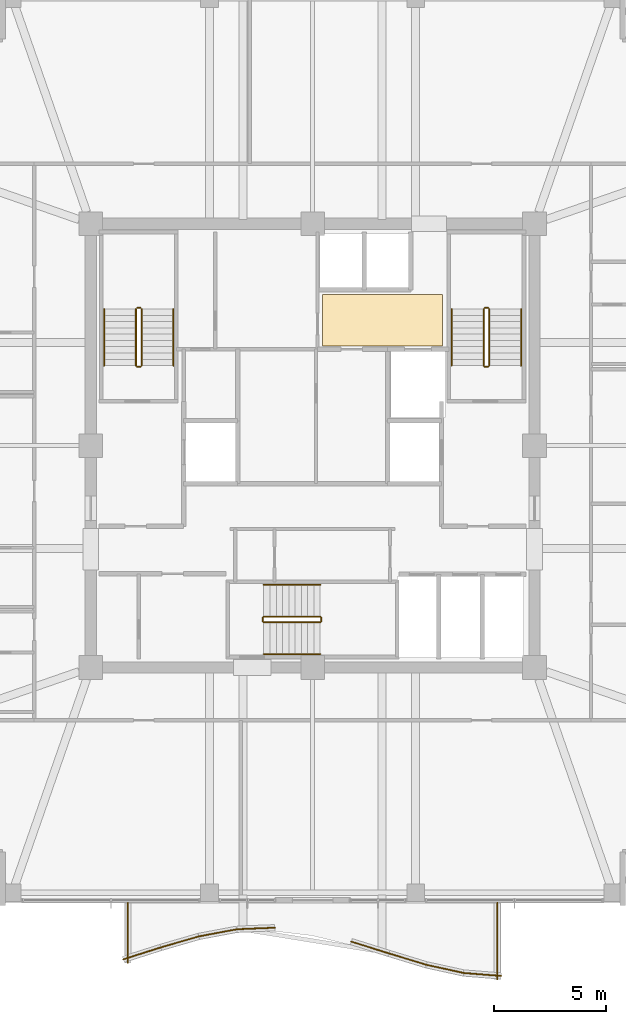
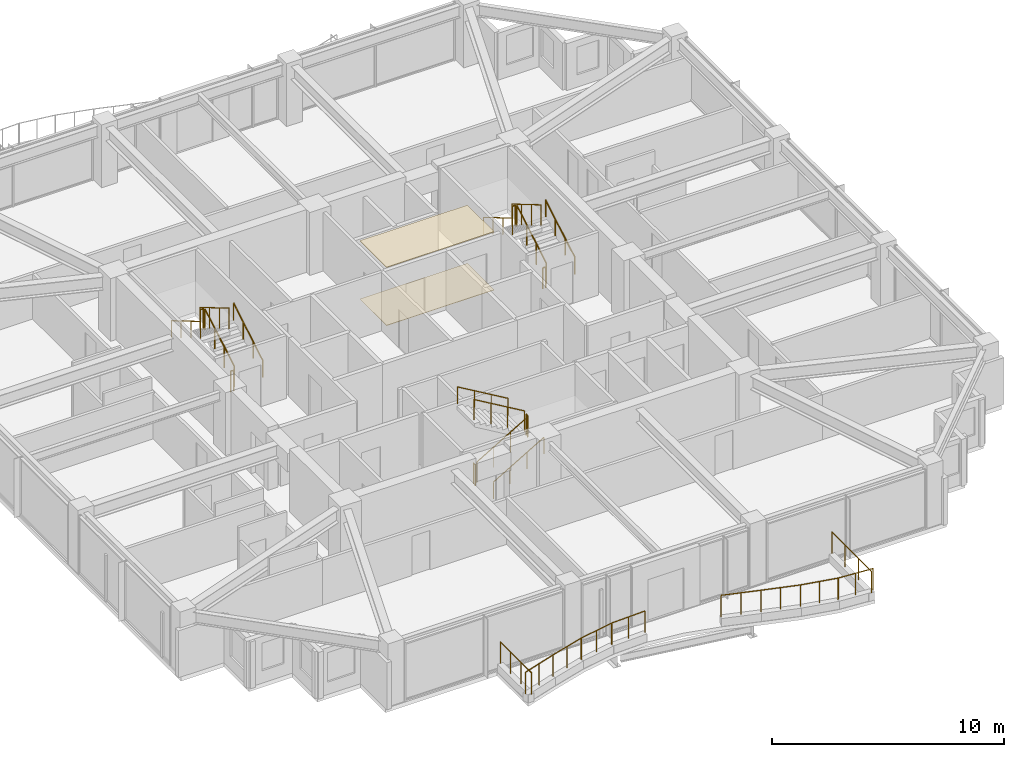
# One storey, part 35 of 36: 28 railings, 2 coverings.
"""IFC4 building model written with IfcOpenShell, lengths in metres."""

from ifc_helpers import new_model, si_unit, direction, frame, origin, origin_2d, place, context, subcontext, project, spatial, polyline, circle, outline, extrude, material, layer, layer_set, type_object, element, save


model = new_model("IFC4")

# Units and contexts
model_context = context("Model", 3, precision=1e-05, world=origin(), true_north=direction((0.0, 1.0)))
body_context = subcontext(model_context, "Body", "Model", "MODEL_VIEW")
ifc_project = project(units=[si_unit("LENGTHUNIT", "METRE"), si_unit("AREAUNIT", "SQUARE_METRE"), si_unit("VOLUMEUNIT", "CUBIC_METRE"), si_unit("PLANEANGLEUNIT", "RADIAN"), si_unit("MASSUNIT", "GRAM", prefix="KILO")], contexts=[model_context])

# Site, building, storey
site_placement = place(None, origin())
site = spatial("IfcSite", under=ifc_project, at=site_placement, CompositionType="ELEMENT")
building_placement = place(site_placement, origin())
building = spatial("IfcBuilding", under=site, at=building_placement, Name="Kolvaren Belvedere", CompositionType="ELEMENT")
storey_placement = place(building_placement, frame((0.0, 0.0, 199.800048828125)))
storey = spatial("IfcBuildingStorey", under=building, at=storey_placement, Name="L58", CompositionType="ELEMENT", Elevation=199.800048828125)

# Coverings
ifc_material_1 = material(Name="Acoustic perforated gypsum board", Category="gypsum")
ifc_layer_1 = layer(ifc_material_1, 0.02490234375)
ifc_layer_set_1 = layer_set([ifc_layer_1], Name="Acoustic perforated gypsum board")
covering_type_1 = type_object("IfcCoveringType", Name="COV-CEIL-GYP", PredefinedType="CEILING", material=ifc_layer_set_1)
covering_1_placement = place(storey_placement, frame((0.0, 0.0, 3.054931640625)))
element("IfcCovering", 1, at=covering_1_placement, inside=storey, type_object=covering_type_1, Name="L58 Lift Lobby Acoustic Baffle Ceiling", PredefinedType="CEILING", context=body_context, shape_type="SweptSolid", body=[
    extrude(outline(polyline([(0.449951171875, 4.449951171875), (5.800048828125, 4.449951171875), (5.800048828125, 6.75), (0.449951171875, 6.75), (0.449951171875, 4.449951171875)])), origin(), (0.0, 0.0, 1.0), 0.02490234375),
])
ifc_material_2 = material(Name="Engineered Pacific white oak", Category="timber")
ifc_layer_2 = layer(ifc_material_2, 0.02001953125)
ifc_layer_set_2 = layer_set([ifc_layer_2], Name="Engineered Pacific white oak")
covering_type_2 = type_object("IfcCoveringType", Name="COV-FLR-OAK", PredefinedType="FLOORING", material=ifc_layer_set_2)
covering_2_placement = place(storey_placement, origin())
element("IfcCovering", 2, at=covering_2_placement, inside=storey, type_object=covering_type_2, Name="L58 Lift Lobby Finish Flooring", PredefinedType="FLOORING", context=body_context, shape_type="SweptSolid", body=[
    extrude(outline(polyline([(0.449951171875, 4.449951171875), (5.800048828125, 4.449951171875), (5.800048828125, 6.75), (0.449951171875, 6.75), (0.449951171875, 4.449951171875)])), origin(), (0.0, 0.0, 1.0), 0.02001953125),
])

# Railings
ifc_material_3 = material(Name="Anodised pale-metal aluminium & laminated glass guard", Category="aluminium")
railing_type_1 = type_object("IfcRailingType", Name="RL-GUARD-1150", PredefinedType="GUARDRAIL", material=ifc_material_3)
railing_1_placement = place(storey_placement, frame((-8.448486328125, -22.92138671875, 0.3798828125)))
element("IfcRailing", 3, at=railing_1_placement, inside=storey, type_object=railing_type_1, Name="L58 Exterior Deck Safety Guard BAL-S-1", PredefinedType="GUARDRAIL", context=body_context, shape_type="SweptSolid", body=[
    extrude(circle(Radius=0.02392578125, at=origin_2d()), frame((0.0, 0.0, 1.1259765625), z_axis=(0.952661770826, 0.304032153573, 0.0), x_axis=(-0.304032153573, 0.952661770826, 0.0)), (0.0, 0.0, 1.0), 1.763427734375),
    extrude(circle(Radius=0.02099609375, at=origin_2d()), origin(), (0.0, 0.0, 1.0), 1.101806640625),
    extrude(circle(Radius=0.02099609375, at=origin_2d()), frame((0.83984375, 0.26806640625, 0.0)), (0.0, 0.0, 1.0), 1.101806640625),
    extrude(circle(Radius=0.02099609375, at=origin_2d()), frame((1.679931640625, 0.5361328125, 0.0)), (0.0, 0.0, 1.0), 1.101806640625),
])
railing_2_placement = place(storey_placement, frame((-6.764404296875, -22.3837890625, 0.3798828125)))
element("IfcRailing", 4, at=railing_2_placement, inside=storey, type_object=railing_type_1, Name="L58 Exterior Deck Safety Guard BAL-S-2", PredefinedType="GUARDRAIL", context=body_context, shape_type="SweptSolid", body=[
    extrude(circle(Radius=0.02392578125, at=origin_2d()), frame((0.0, 0.0, 1.1259765625), z_axis=(0.960633903819, 0.277817391164, 0.0), x_axis=(-0.277817391164, 0.960633903819, 0.0)), (0.0, 0.0, 1.0), 1.748779296875),
    extrude(circle(Radius=0.02099609375, at=origin_2d()), origin(), (0.0, 0.0, 1.0), 1.101806640625),
    extrude(circle(Radius=0.02099609375, at=origin_2d()), frame((0.83984375, 0.242919921875, 0.0)), (0.0, 0.0, 1.0), 1.101806640625),
    extrude(circle(Radius=0.02099609375, at=origin_2d()), frame((1.679931640625, 0.48583984375, 0.0)), (0.0, 0.0, 1.0), 1.101806640625),
])
railing_3_placement = place(storey_placement, frame((-5.069580078125, -21.894287109375, 0.3798828125)))
element("IfcRailing", 5, at=railing_3_placement, inside=storey, type_object=railing_type_1, Name="L58 Exterior Deck Safety Guard BAL-S-3", PredefinedType="GUARDRAIL", context=body_context, shape_type="SweptSolid", body=[
    extrude(circle(Radius=0.02392578125, at=origin_2d()), frame((0.0, 0.0, 1.1259765625), z_axis=(0.982799348901, 0.18467658162, 0.0), x_axis=(-0.18467658162, 0.982799348901, 0.0)), (0.0, 0.0, 1.0), 1.709228515625),
    extrude(circle(Radius=0.02099609375, at=origin_2d()), origin(), (0.0, 0.0, 1.0), 1.101806640625),
    extrude(circle(Radius=0.02099609375, at=origin_2d()), frame((0.83984375, 0.15771484375, 0.0)), (0.0, 0.0, 1.0), 1.101806640625),
    extrude(circle(Radius=0.02099609375, at=origin_2d()), frame((1.679931640625, 0.315673828125, 0.0)), (0.0, 0.0, 1.0), 1.101806640625),
])
railing_4_placement = place(storey_placement, frame((-3.366455078125, -21.575927734375, 0.3798828125)))
element("IfcRailing", 6, at=railing_4_placement, inside=storey, type_object=railing_type_1, Name="L58 Exterior Deck Safety Guard BAL-S-4", PredefinedType="GUARDRAIL", context=body_context, shape_type="SweptSolid", body=[
    extrude(circle(Radius=0.02392578125, at=origin_2d()), frame((0.0, 0.0, 1.1259765625), z_axis=(0.999196778482, 0.040072407855, 0.0), x_axis=(-0.040072407855, 0.999196778482, 0.0)), (0.0, 0.0, 1.0), 1.681640625),
    extrude(circle(Radius=0.02099609375, at=origin_2d()), origin(), (0.0, 0.0, 1.0), 1.101806640625),
    extrude(circle(Radius=0.02099609375, at=origin_2d()), frame((0.840087890625, 0.03369140625, 0.0)), (0.0, 0.0, 1.0), 1.101806640625),
    extrude(circle(Radius=0.02099609375, at=origin_2d()), frame((1.68017578125, 0.0673828125, 0.0)), (0.0, 0.0, 1.0), 1.101806640625),
])
railing_5_placement = place(storey_placement, frame((1.727783203125, -22.127685546875, 0.3798828125)))
element("IfcRailing", 7, at=railing_5_placement, inside=storey, type_object=railing_type_1, Name="L58 Exterior Deck Safety Guard BAL-S-7", PredefinedType="GUARDRAIL", context=body_context, shape_type="SweptSolid", body=[
    extrude(circle(Radius=0.02392578125, at=origin_2d()), frame((0.0, 0.0, 1.1259765625), z_axis=(0.954069594374, -0.299585061529, 0.0), x_axis=(0.299585061529, 0.954069594374, 0.0)), (0.0, 0.0, 1.0), 1.760986328125),
    extrude(circle(Radius=0.02099609375, at=origin_2d()), origin(), (0.0, 0.0, 1.0), 1.101806640625),
    extrude(circle(Radius=0.02099609375, at=origin_2d()), frame((0.840087890625, -0.263671875, 0.0)), (0.0, 0.0, 1.0), 1.101806640625),
    extrude(circle(Radius=0.02099609375, at=origin_2d()), frame((1.68017578125, -0.527587890625, 0.0)), (0.0, 0.0, 1.0), 1.101806640625),
])
railing_6_placement = place(storey_placement, frame((3.406494140625, -22.65478515625, 0.3798828125)))
element("IfcRailing", 8, at=railing_6_placement, inside=storey, type_object=railing_type_1, Name="L58 Exterior Deck Safety Guard BAL-S-8", PredefinedType="GUARDRAIL", context=body_context, shape_type="SweptSolid", body=[
    extrude(circle(Radius=0.02392578125, at=origin_2d()), frame((0.0, 0.0, 1.1259765625), z_axis=(0.956771481005, -0.290840734999, 0.0), x_axis=(0.290840734999, 0.956771481005, 0.0)), (0.0, 0.0, 1.0), 1.756103515625),
    extrude(circle(Radius=0.02099609375, at=origin_2d()), origin(), (0.0, 0.0, 1.0), 1.101806640625),
    extrude(circle(Radius=0.02099609375, at=origin_2d()), frame((0.840087890625, -0.25537109375, 0.0)), (0.0, 0.0, 1.0), 1.101806640625),
    extrude(circle(Radius=0.02099609375, at=origin_2d()), frame((1.68017578125, -0.5107421875, 0.0)), (0.0, 0.0, 1.0), 1.101806640625),
])
railing_7_placement = place(storey_placement, frame((5.07421875, -23.162353515625, 0.3798828125)))
element("IfcRailing", 9, at=railing_7_placement, inside=storey, type_object=railing_type_1, Name="L58 Exterior Deck Safety Guard BAL-S-9", PredefinedType="GUARDRAIL", context=body_context, shape_type="SweptSolid", body=[
    extrude(circle(Radius=0.02392578125, at=origin_2d()), frame((0.0, 0.0, 1.1259765625), z_axis=(0.976876857632, -0.213802724545, 0.0), x_axis=(0.213802724545, 0.976876857632, 0.0)), (0.0, 0.0, 1.0), 1.7197265625),
    extrude(circle(Radius=0.02099609375, at=origin_2d()), origin(), (0.0, 0.0, 1.0), 1.101806640625),
    extrude(circle(Radius=0.02099609375, at=origin_2d()), frame((0.83984375, -0.183837890625, 0.0)), (0.0, 0.0, 1.0), 1.101806640625),
    extrude(circle(Radius=0.02099609375, at=origin_2d()), frame((1.679931640625, -0.36767578125, 0.0)), (0.0, 0.0, 1.0), 1.101806640625),
])
railing_8_placement = place(storey_placement, frame((6.732666015625, -23.52685546875, 0.3798828125)))
element("IfcRailing", 10, at=railing_8_placement, inside=storey, type_object=railing_type_1, Name="L58 Exterior Deck Safety Guard BAL-S-10", PredefinedType="GUARDRAIL", context=body_context, shape_type="SweptSolid", body=[
    extrude(circle(Radius=0.02392578125, at=origin_2d()), frame((0.0, 0.0, 1.1259765625), z_axis=(0.99685522818, -0.079244268248, 0.0), x_axis=(0.079244268248, 0.99685522818, 0.0)), (0.0, 0.0, 1.0), 1.685302734375),
    extrude(circle(Radius=0.02099609375, at=origin_2d()), origin(), (0.0, 0.0, 1.0), 1.101806640625),
    extrude(circle(Radius=0.02099609375, at=origin_2d()), frame((0.83984375, -0.06689453125, 0.0)), (0.0, 0.0, 1.0), 1.101806640625),
    extrude(circle(Radius=0.02099609375, at=origin_2d()), frame((1.679931640625, -0.133544921875, 0.0)), (0.0, 0.0, 1.0), 1.101806640625),
])
railing_9_placement = place(storey_placement, frame((8.239990234375, -23.820068359375, 0.3798828125)))
element("IfcRailing", 11, at=railing_9_placement, inside=storey, type_object=railing_type_1, Name="L58 Exterior Deck Safety Guard BAL-S-11", PredefinedType="GUARDRAIL", context=body_context, shape_type="SweptSolid", body=[
    extrude(circle(Radius=0.02392578125, at=origin_2d()), frame((0.0, 0.0, 1.1259765625), z_axis=(0.0, 1.0, 0.0), x_axis=(-1.0, 0.0, 0.0)), (0.0, 0.0, 1.0), 3.420166015625),
    extrude(circle(Radius=0.02099609375, at=origin_2d()), origin(), (0.0, 0.0, 1.0), 1.101806640625),
    extrude(circle(Radius=0.02099609375, at=origin_2d()), frame((0.0, 1.14013671875, 0.0)), (0.0, 0.0, 1.0), 1.101806640625),
    extrude(circle(Radius=0.02099609375, at=origin_2d()), frame((0.0, 2.280029296875, 0.0)), (0.0, 0.0, 1.0), 1.101806640625),
    extrude(circle(Radius=0.02099609375, at=origin_2d()), frame((0.0, 3.420166015625, 0.0)), (0.0, 0.0, 1.0), 1.101806640625),
])
railing_10_placement = place(storey_placement, frame((-8.239990234375, -20.39990234375, 0.3798828125)))
element("IfcRailing", 12, at=railing_10_placement, inside=storey, type_object=railing_type_1, Name="L58 Exterior Deck Safety Guard BAL-S-22", PredefinedType="GUARDRAIL", context=body_context, shape_type="SweptSolid", body=[
    extrude(circle(Radius=0.02392578125, at=origin_2d()), frame((0.0, 0.0, 1.1259765625), z_axis=(0.0, -1.0, 0.0), x_axis=(1.0, 0.0, 0.0)), (0.0, 0.0, 1.0), 2.673828125),
    extrude(circle(Radius=0.02099609375, at=origin_2d()), origin(), (0.0, 0.0, 1.0), 1.101806640625),
    extrude(circle(Radius=0.02099609375, at=origin_2d()), frame((0.0, -0.891357421875, 0.0)), (0.0, 0.0, 1.0), 1.101806640625),
    extrude(circle(Radius=0.02099609375, at=origin_2d()), frame((0.0, -1.782470703125, 0.0)), (0.0, 0.0, 1.0), 1.101806640625),
    extrude(circle(Radius=0.02099609375, at=origin_2d()), frame((0.0, -2.673828125, 0.0)), (0.0, 0.0, 1.0), 1.101806640625),
])
ifc_material_4 = material(Name="Brushed stainless-steel handrail", Category="steel")
railing_type_2 = type_object("IfcRailingType", Name="RL-HANDRAIL-920", PredefinedType="HANDRAIL", material=ifc_material_4)
railing_11_placement = place(storey_placement, frame((-6.2099609375, 3.570068359375, 0.1650390625)))
element("IfcRailing", 13, at=railing_11_placement, inside=storey, type_object=railing_type_2, Name="L58 ST-1 stair handrail 1", PredefinedType="HANDRAIL", context=body_context, shape_type="SweptSolid", body=[
    extrude(circle(Radius=0.02392578125, at=origin_2d()), frame((0.0, 0.0, 0.8759765625), z_axis=(0.0, 0.861560626758, 0.507654692109), x_axis=(-1.0, 0.0, 0.0)), (0.0, 0.0, 1.0), 2.925048828125),
    extrude(circle(Radius=0.02099609375, at=origin_2d()), origin(), (0.0, 0.0, 1.0), 0.851806640625),
    extrude(circle(Radius=0.02099609375, at=origin_2d()), frame((0.0, 0.840087890625, 0.494873046875)), (0.0, 0.0, 1.0), 0.851806640625),
    extrude(circle(Radius=0.02099609375, at=origin_2d()), frame((0.0, 1.679931640625, 0.989990234375)), (0.0, 0.0, 1.0), 0.851806640625),
    extrude(circle(Radius=0.02099609375, at=origin_2d()), frame((0.0, 2.52001953125, 1.48486328125)), (0.0, 0.0, 1.0), 0.851806640625),
])
railing_12_placement = place(storey_placement, frame((-9.300048828125, 6.090087890625, 1.81494140625)))
element("IfcRailing", 14, at=railing_12_placement, inside=storey, type_object=railing_type_2, Name="L58 ST-1 stair handrail 2", PredefinedType="HANDRAIL", context=body_context, shape_type="SweptSolid", body=[
    extrude(circle(Radius=0.02392578125, at=origin_2d()), frame((0.0, 0.0, 0.8759765625), z_axis=(0.0, -0.86152411907, 0.507716645641), x_axis=(1.0, 0.0, 0.0)), (0.0, 0.0, 1.0), 2.925048828125),
    extrude(circle(Radius=0.02099609375, at=origin_2d()), origin(), (0.0, 0.0, 1.0), 0.851806640625),
    extrude(circle(Radius=0.02099609375, at=origin_2d()), frame((0.0, -0.840087890625, 0.4951171875)), (0.0, 0.0, 1.0), 0.851806640625),
    extrude(circle(Radius=0.02099609375, at=origin_2d()), frame((0.0, -1.679931640625, 0.989990234375)), (0.0, 0.0, 1.0), 0.851806640625),
    extrude(circle(Radius=0.02099609375, at=origin_2d()), frame((0.0, -2.52001953125, 1.485107421875)), (0.0, 0.0, 1.0), 0.851806640625),
])
railing_13_placement = place(storey_placement, frame((9.300048828125, 3.570068359375, 0.1650390625)))
element("IfcRailing", 15, at=railing_13_placement, inside=storey, type_object=railing_type_2, Name="L58 ST-2 stair handrail 1", PredefinedType="HANDRAIL", context=body_context, shape_type="SweptSolid", body=[
    extrude(circle(Radius=0.02392578125, at=origin_2d()), frame((0.0, 0.0, 0.8759765625), z_axis=(0.0, 0.861560626758, 0.507654692109), x_axis=(-1.0, 0.0, 0.0)), (0.0, 0.0, 1.0), 2.925048828125),
    extrude(circle(Radius=0.02099609375, at=origin_2d()), origin(), (0.0, 0.0, 1.0), 0.851806640625),
    extrude(circle(Radius=0.02099609375, at=origin_2d()), frame((0.0, 0.840087890625, 0.494873046875)), (0.0, 0.0, 1.0), 0.851806640625),
    extrude(circle(Radius=0.02099609375, at=origin_2d()), frame((0.0, 1.679931640625, 0.989990234375)), (0.0, 0.0, 1.0), 0.851806640625),
    extrude(circle(Radius=0.02099609375, at=origin_2d()), frame((0.0, 2.52001953125, 1.48486328125)), (0.0, 0.0, 1.0), 0.851806640625),
])
railing_14_placement = place(storey_placement, frame((6.2099609375, 6.090087890625, 1.81494140625)))
element("IfcRailing", 16, at=railing_14_placement, inside=storey, type_object=railing_type_2, Name="L58 ST-2 stair handrail 2", PredefinedType="HANDRAIL", context=body_context, shape_type="SweptSolid", body=[
    extrude(circle(Radius=0.02392578125, at=origin_2d()), frame((0.0, 0.0, 0.8759765625), z_axis=(0.0, -0.86152411907, 0.507716645641), x_axis=(1.0, 0.0, 0.0)), (0.0, 0.0, 1.0), 2.925048828125),
    extrude(circle(Radius=0.02099609375, at=origin_2d()), origin(), (0.0, 0.0, 1.0), 0.851806640625),
    extrude(circle(Radius=0.02099609375, at=origin_2d()), frame((0.0, -0.840087890625, 0.4951171875)), (0.0, 0.0, 1.0), 0.851806640625),
    extrude(circle(Radius=0.02099609375, at=origin_2d()), frame((0.0, -1.679931640625, 0.989990234375)), (0.0, 0.0, 1.0), 0.851806640625),
    extrude(circle(Radius=0.02099609375, at=origin_2d()), frame((0.0, -2.52001953125, 1.485107421875)), (0.0, 0.0, 1.0), 0.851806640625),
])
railing_15_placement = place(storey_placement, frame((-2.179931640625, -9.300048828125, 0.1650390625)))
element("IfcRailing", 17, at=railing_15_placement, inside=storey, type_object=railing_type_2, Name="L58 ST-3 stair handrail 1", PredefinedType="HANDRAIL", context=body_context, shape_type="SweptSolid", body=[
    extrude(circle(Radius=0.02392578125, at=origin_2d()), frame((0.0, 0.0, 0.8759765625), z_axis=(0.861560626758, 0.0, 0.507654692109), x_axis=(0.0, 1.0, 0.0)), (0.0, 0.0, 1.0), 2.925048828125),
    extrude(circle(Radius=0.02099609375, at=origin_2d()), origin(), (0.0, 0.0, 1.0), 0.851806640625),
    extrude(circle(Radius=0.02099609375, at=origin_2d()), frame((0.840087890625, 0.0, 0.494873046875)), (0.0, 0.0, 1.0), 0.851806640625),
    extrude(circle(Radius=0.02099609375, at=origin_2d()), frame((1.679931640625, 0.0, 0.989990234375)), (0.0, 0.0, 1.0), 0.851806640625),
    extrude(circle(Radius=0.02099609375, at=origin_2d()), frame((2.52001953125, 0.0, 1.48486328125)), (0.0, 0.0, 1.0), 0.851806640625),
])
railing_16_placement = place(storey_placement, frame((0.340087890625, -6.2099609375, 1.81494140625)))
element("IfcRailing", 18, at=railing_16_placement, inside=storey, type_object=railing_type_2, Name="L58 ST-3 stair handrail 2", PredefinedType="HANDRAIL", context=body_context, shape_type="SweptSolid", body=[
    extrude(circle(Radius=0.02392578125, at=origin_2d()), frame((0.0, 0.0, 0.8759765625), z_axis=(-0.86152411907, 0.0, 0.507716645641), x_axis=(0.0, -1.0, 0.0)), (0.0, 0.0, 1.0), 2.925048828125),
    extrude(circle(Radius=0.02099609375, at=origin_2d()), origin(), (0.0, 0.0, 1.0), 0.851806640625),
    extrude(circle(Radius=0.02099609375, at=origin_2d()), frame((-0.840087890625, 0.0, 0.4951171875)), (0.0, 0.0, 1.0), 0.851806640625),
    extrude(circle(Radius=0.02099609375, at=origin_2d()), frame((-1.679931640625, 0.0, 0.989990234375)), (0.0, 0.0, 1.0), 0.851806640625),
    extrude(circle(Radius=0.02099609375, at=origin_2d()), frame((-2.52001953125, 0.0, 1.485107421875)), (0.0, 0.0, 1.0), 0.851806640625),
])
ifc_material_5 = material(Name="Painted tubular steel stair guard", Category="steel")
railing_type_3 = type_object("IfcRailingType", Name="RL-STGUARD-1100", PredefinedType="GUARDRAIL", material=ifc_material_5)
railing_17_placement = place(storey_placement, frame((-7.6298828125, 3.570068359375, 0.1650390625)))
element("IfcRailing", 19, at=railing_17_placement, inside=storey, type_object=railing_type_3, Name="L58 ST-1 stair guard 1", PredefinedType="GUARDRAIL", context=body_context, shape_type="SweptSolid", body=[
    extrude(circle(Radius=0.02392578125, at=origin_2d()), frame((0.0, 0.0, 1.076171875), z_axis=(0.0, 0.861560626758, 0.507654692109), x_axis=(-1.0, 0.0, 0.0)), (0.0, 0.0, 1.0), 2.925048828125),
    extrude(circle(Radius=0.02099609375, at=origin_2d()), origin(), (0.0, 0.0, 1.0), 1.052001953125),
    extrude(circle(Radius=0.02099609375, at=origin_2d()), frame((0.0, 0.840087890625, 0.494873046875)), (0.0, 0.0, 1.0), 1.052001953125),
    extrude(circle(Radius=0.02099609375, at=origin_2d()), frame((0.0, 1.679931640625, 0.989990234375)), (0.0, 0.0, 1.0), 1.052001953125),
    extrude(circle(Radius=0.02099609375, at=origin_2d()), frame((0.0, 2.52001953125, 1.48486328125)), (0.0, 0.0, 1.0), 1.052001953125),
])
railing_18_placement = place(storey_placement, frame((-7.679931640625, 6.139892578125, 1.64990234375)))
element("IfcRailing", 20, at=railing_18_placement, inside=storey, type_object=railing_type_3, Name="L58 ST-1 stair guard 2", PredefinedType="GUARDRAIL", context=body_context, shape_type="SweptSolid", body=[
    extrude(circle(Radius=0.02392578125, at=origin_2d()), frame((0.0, 0.0, 1.076171875), z_axis=(-1.0, 0.0, 0.0), x_axis=(0.0, -1.0, 0.0)), (0.0, 0.0, 1.0), 0.150146484375),
    extrude(circle(Radius=0.02099609375, at=origin_2d()), origin(), (0.0, 0.0, 1.0), 1.052001953125),
    extrude(circle(Radius=0.02099609375, at=origin_2d()), frame((-0.150146484375, 0.0, 0.0)), (0.0, 0.0, 1.0), 1.052001953125),
])
railing_19_placement = place(storey_placement, frame((-7.8798828125, 6.090087890625, 1.81494140625)))
element("IfcRailing", 21, at=railing_19_placement, inside=storey, type_object=railing_type_3, Name="L58 ST-1 stair guard 3", PredefinedType="GUARDRAIL", context=body_context, shape_type="SweptSolid", body=[
    extrude(circle(Radius=0.02392578125, at=origin_2d()), frame((0.0, 0.0, 1.076171875), z_axis=(0.0, -0.86152411907, 0.507716645641), x_axis=(1.0, 0.0, 0.0)), (0.0, 0.0, 1.0), 2.925048828125),
    extrude(circle(Radius=0.02099609375, at=origin_2d()), origin(), (0.0, 0.0, 1.0), 1.052001953125),
    extrude(circle(Radius=0.02099609375, at=origin_2d()), frame((0.0, -0.840087890625, 0.4951171875)), (0.0, 0.0, 1.0), 1.052001953125),
    extrude(circle(Radius=0.02099609375, at=origin_2d()), frame((0.0, -1.679931640625, 0.989990234375)), (0.0, 0.0, 1.0), 1.052001953125),
    extrude(circle(Radius=0.02099609375, at=origin_2d()), frame((0.0, -2.52001953125, 1.485107421875)), (0.0, 0.0, 1.0), 1.052001953125),
])
railing_20_placement = place(storey_placement, frame((-7.679931640625, 3.52001953125, 0.0)))
element("IfcRailing", 22, at=railing_20_placement, inside=storey, type_object=railing_type_3, Name="L58 ST-1 stair guard 4", PredefinedType="GUARDRAIL", context=body_context, shape_type="SweptSolid", body=[
    extrude(circle(Radius=0.02392578125, at=origin_2d()), frame((0.0, 0.0, 1.076171875), z_axis=(-1.0, 0.0, 0.0), x_axis=(0.0, -1.0, 0.0)), (0.0, 0.0, 1.0), 0.150146484375),
    extrude(circle(Radius=0.02099609375, at=origin_2d()), origin(), (0.0, 0.0, 1.0), 1.052001953125),
    extrude(circle(Radius=0.02099609375, at=origin_2d()), frame((-0.150146484375, 0.0, 0.0)), (0.0, 0.0, 1.0), 1.052001953125),
])
railing_21_placement = place(storey_placement, frame((7.8798828125, 3.570068359375, 0.1650390625)))
element("IfcRailing", 23, at=railing_21_placement, inside=storey, type_object=railing_type_3, Name="L58 ST-2 stair guard 1", PredefinedType="GUARDRAIL", context=body_context, shape_type="SweptSolid", body=[
    extrude(circle(Radius=0.02392578125, at=origin_2d()), frame((0.0, 0.0, 1.076171875), z_axis=(0.0, 0.861560626758, 0.507654692109), x_axis=(-1.0, 0.0, 0.0)), (0.0, 0.0, 1.0), 2.925048828125),
    extrude(circle(Radius=0.02099609375, at=origin_2d()), origin(), (0.0, 0.0, 1.0), 1.052001953125),
    extrude(circle(Radius=0.02099609375, at=origin_2d()), frame((0.0, 0.840087890625, 0.494873046875)), (0.0, 0.0, 1.0), 1.052001953125),
    extrude(circle(Radius=0.02099609375, at=origin_2d()), frame((0.0, 1.679931640625, 0.989990234375)), (0.0, 0.0, 1.0), 1.052001953125),
    extrude(circle(Radius=0.02099609375, at=origin_2d()), frame((0.0, 2.52001953125, 1.48486328125)), (0.0, 0.0, 1.0), 1.052001953125),
])
railing_22_placement = place(storey_placement, frame((7.830078125, 6.139892578125, 1.64990234375)))
element("IfcRailing", 24, at=railing_22_placement, inside=storey, type_object=railing_type_3, Name="L58 ST-2 stair guard 2", PredefinedType="GUARDRAIL", context=body_context, shape_type="SweptSolid", body=[
    extrude(circle(Radius=0.02392578125, at=origin_2d()), frame((0.0, 0.0, 1.076171875), z_axis=(-1.0, 0.0, 0.0), x_axis=(0.0, -1.0, 0.0)), (0.0, 0.0, 1.0), 0.150146484375),
    extrude(circle(Radius=0.02099609375, at=origin_2d()), origin(), (0.0, 0.0, 1.0), 1.052001953125),
    extrude(circle(Radius=0.02099609375, at=origin_2d()), frame((-0.150146484375, 0.0, 0.0)), (0.0, 0.0, 1.0), 1.052001953125),
])
railing_23_placement = place(storey_placement, frame((7.6298828125, 6.090087890625, 1.81494140625)))
element("IfcRailing", 25, at=railing_23_placement, inside=storey, type_object=railing_type_3, Name="L58 ST-2 stair guard 3", PredefinedType="GUARDRAIL", context=body_context, shape_type="SweptSolid", body=[
    extrude(circle(Radius=0.02392578125, at=origin_2d()), frame((0.0, 0.0, 1.076171875), z_axis=(0.0, -0.86152411907, 0.507716645641), x_axis=(1.0, 0.0, 0.0)), (0.0, 0.0, 1.0), 2.925048828125),
    extrude(circle(Radius=0.02099609375, at=origin_2d()), origin(), (0.0, 0.0, 1.0), 1.052001953125),
    extrude(circle(Radius=0.02099609375, at=origin_2d()), frame((0.0, -0.840087890625, 0.4951171875)), (0.0, 0.0, 1.0), 1.052001953125),
    extrude(circle(Radius=0.02099609375, at=origin_2d()), frame((0.0, -1.679931640625, 0.989990234375)), (0.0, 0.0, 1.0), 1.052001953125),
    extrude(circle(Radius=0.02099609375, at=origin_2d()), frame((0.0, -2.52001953125, 1.485107421875)), (0.0, 0.0, 1.0), 1.052001953125),
])
railing_24_placement = place(storey_placement, frame((7.830078125, 3.52001953125, 0.0)))
element("IfcRailing", 26, at=railing_24_placement, inside=storey, type_object=railing_type_3, Name="L58 ST-2 stair guard 4", PredefinedType="GUARDRAIL", context=body_context, shape_type="SweptSolid", body=[
    extrude(circle(Radius=0.02392578125, at=origin_2d()), frame((0.0, 0.0, 1.076171875), z_axis=(-1.0, 0.0, 0.0), x_axis=(0.0, -1.0, 0.0)), (0.0, 0.0, 1.0), 0.150146484375),
    extrude(circle(Radius=0.02099609375, at=origin_2d()), origin(), (0.0, 0.0, 1.0), 1.052001953125),
    extrude(circle(Radius=0.02099609375, at=origin_2d()), frame((-0.150146484375, 0.0, 0.0)), (0.0, 0.0, 1.0), 1.052001953125),
])
railing_25_placement = place(storey_placement, frame((-2.179931640625, -7.8798828125, 0.1650390625)))
element("IfcRailing", 27, at=railing_25_placement, inside=storey, type_object=railing_type_3, Name="L58 ST-3 stair guard 1", PredefinedType="GUARDRAIL", context=body_context, shape_type="SweptSolid", body=[
    extrude(circle(Radius=0.02392578125, at=origin_2d()), frame((0.0, 0.0, 1.076171875), z_axis=(0.861560626758, 0.0, 0.507654692109), x_axis=(0.0, 1.0, 0.0)), (0.0, 0.0, 1.0), 2.925048828125),
    extrude(circle(Radius=0.02099609375, at=origin_2d()), origin(), (0.0, 0.0, 1.0), 1.052001953125),
    extrude(circle(Radius=0.02099609375, at=origin_2d()), frame((0.840087890625, 0.0, 0.494873046875)), (0.0, 0.0, 1.0), 1.052001953125),
    extrude(circle(Radius=0.02099609375, at=origin_2d()), frame((1.679931640625, 0.0, 0.989990234375)), (0.0, 0.0, 1.0), 1.052001953125),
    extrude(circle(Radius=0.02099609375, at=origin_2d()), frame((2.52001953125, 0.0, 1.48486328125)), (0.0, 0.0, 1.0), 1.052001953125),
])
railing_26_placement = place(storey_placement, frame((0.389892578125, -7.830078125, 1.64990234375)))
element("IfcRailing", 28, at=railing_26_placement, inside=storey, type_object=railing_type_3, Name="L58 ST-3 stair guard 2", PredefinedType="GUARDRAIL", context=body_context, shape_type="SweptSolid", body=[
    extrude(circle(Radius=0.02392578125, at=origin_2d()), frame((0.0, 0.0, 1.076171875), z_axis=(0.0, 1.0, 0.0), x_axis=(-1.0, 0.0, 0.0)), (0.0, 0.0, 1.0), 0.150146484375),
    extrude(circle(Radius=0.02099609375, at=origin_2d()), origin(), (0.0, 0.0, 1.0), 1.052001953125),
    extrude(circle(Radius=0.02099609375, at=origin_2d()), frame((0.0, 0.150146484375, 0.0)), (0.0, 0.0, 1.0), 1.052001953125),
])
railing_27_placement = place(storey_placement, frame((0.340087890625, -7.6298828125, 1.81494140625)))
element("IfcRailing", 29, at=railing_27_placement, inside=storey, type_object=railing_type_3, Name="L58 ST-3 stair guard 3", PredefinedType="GUARDRAIL", context=body_context, shape_type="SweptSolid", body=[
    extrude(circle(Radius=0.02392578125, at=origin_2d()), frame((0.0, 0.0, 1.076171875), z_axis=(-0.86152411907, 0.0, 0.507716645641), x_axis=(0.0, -1.0, 0.0)), (0.0, 0.0, 1.0), 2.925048828125),
    extrude(circle(Radius=0.02099609375, at=origin_2d()), origin(), (0.0, 0.0, 1.0), 1.052001953125),
    extrude(circle(Radius=0.02099609375, at=origin_2d()), frame((-0.840087890625, 0.0, 0.4951171875)), (0.0, 0.0, 1.0), 1.052001953125),
    extrude(circle(Radius=0.02099609375, at=origin_2d()), frame((-1.679931640625, 0.0, 0.989990234375)), (0.0, 0.0, 1.0), 1.052001953125),
    extrude(circle(Radius=0.02099609375, at=origin_2d()), frame((-2.52001953125, 0.0, 1.485107421875)), (0.0, 0.0, 1.0), 1.052001953125),
])
railing_28_placement = place(storey_placement, frame((-2.22998046875, -7.830078125, 0.0)))
element("IfcRailing", 30, at=railing_28_placement, inside=storey, type_object=railing_type_3, Name="L58 ST-3 stair guard 4", PredefinedType="GUARDRAIL", context=body_context, shape_type="SweptSolid", body=[
    extrude(circle(Radius=0.02392578125, at=origin_2d()), frame((0.0, 0.0, 1.076171875), z_axis=(0.0, 1.0, 0.0), x_axis=(-1.0, 0.0, 0.0)), (0.0, 0.0, 1.0), 0.150146484375),
    extrude(circle(Radius=0.02099609375, at=origin_2d()), origin(), (0.0, 0.0, 1.0), 1.052001953125),
    extrude(circle(Radius=0.02099609375, at=origin_2d()), frame((0.0, 0.150146484375, 0.0)), (0.0, 0.0, 1.0), 1.052001953125),
])

save(model, "model.ifc")
